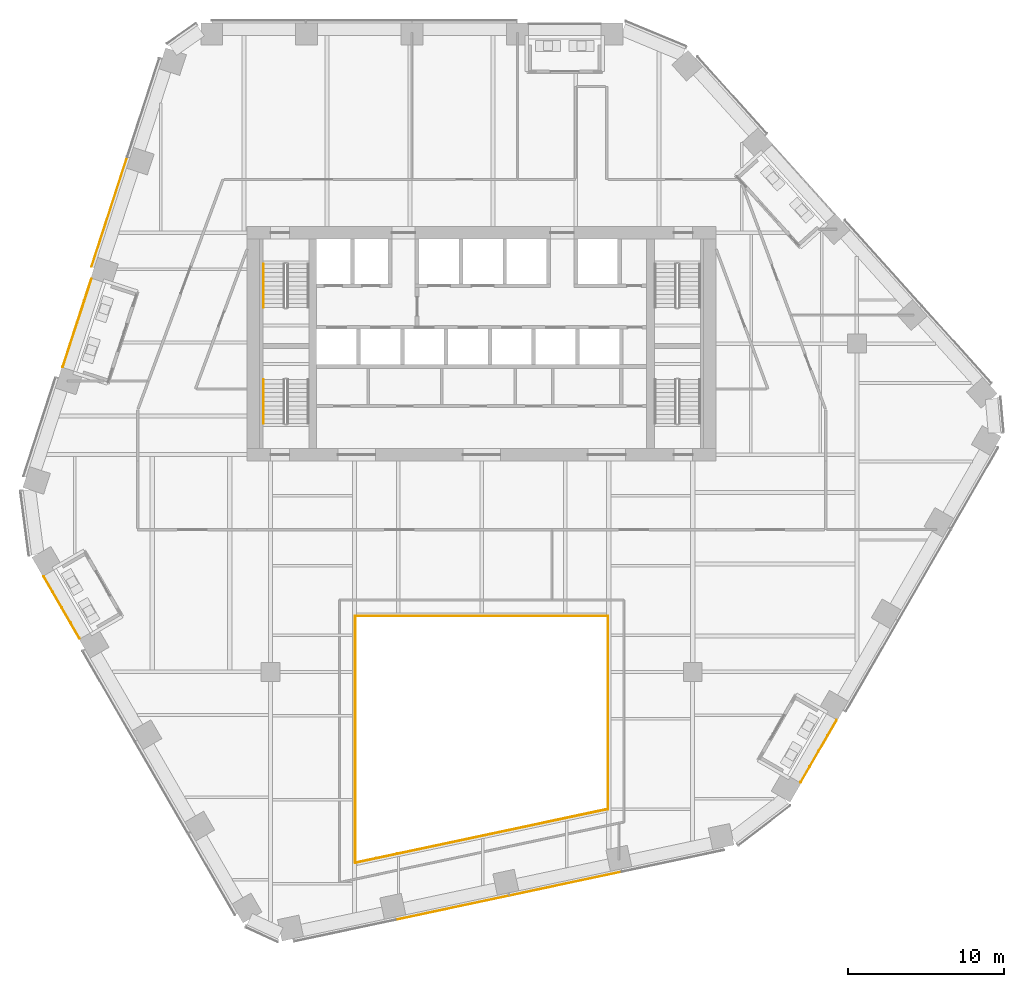
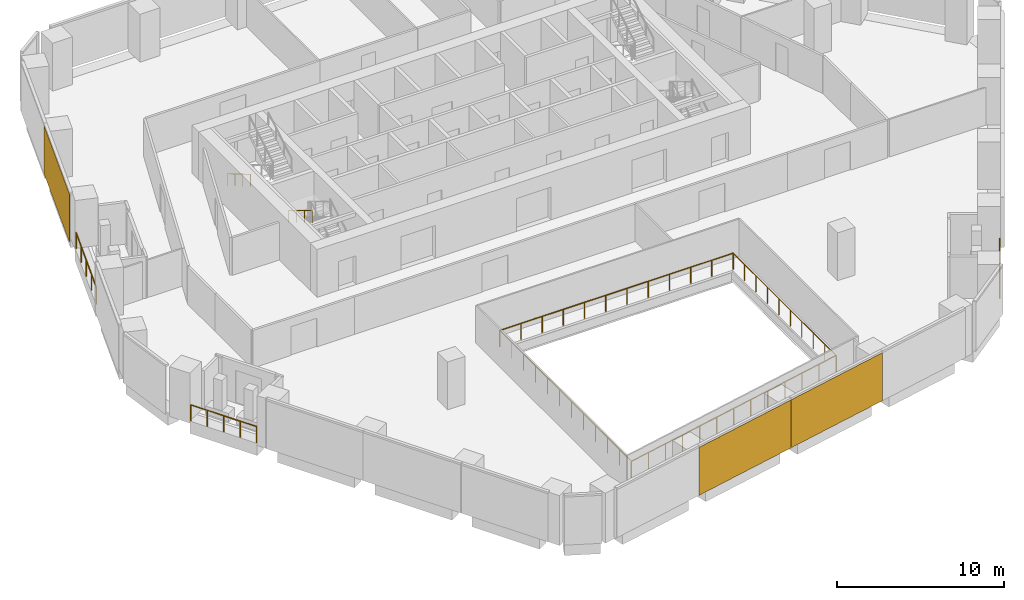
# One storey, part 21 of 24: 9 railings, 3 coverings, 2 elements without a shape of their own.
"""IFC4 building model written with IfcOpenShell, lengths in metres."""

from ifc_helpers import new_model, si_unit, direction, frame, origin, origin_2d, place, context, subcontext, project, spatial, rectangle, circle, extrude, material, layer, layer_set, type_object, element, aggregate, save


model = new_model("IFC4")

# Units and contexts
model_context = context("Model", 3, precision=1e-05, world=origin(), true_north=direction((0.0, 1.0)))
body_context = subcontext(model_context, "Body", "Model", "MODEL_VIEW")
ifc_project = project(units=[si_unit("LENGTHUNIT", "METRE"), si_unit("AREAUNIT", "SQUARE_METRE"), si_unit("VOLUMEUNIT", "CUBIC_METRE"), si_unit("PLANEANGLEUNIT", "RADIAN"), si_unit("MASSUNIT", "GRAM", prefix="KILO")], contexts=[model_context])

# Site, building, storey
site_placement = place(None, origin())
site = spatial("IfcSite", under=ifc_project, at=site_placement, CompositionType="ELEMENT")
building_placement = place(site_placement, origin())
building = spatial("IfcBuilding", under=site, at=building_placement, Name="Isthmus Gate Tower", CompositionType="ELEMENT")
storey_placement = place(building_placement, frame((0.0, 0.0, 159.0)))
storey = spatial("IfcBuildingStorey", under=building, at=storey_placement, Name="L39", CompositionType="ELEMENT", Elevation=159.0)

# Railings
ifc_material_1 = material(Name="Laminated toughened glass balustrade with steel rail", Category="steel")
railing_type_1 = type_object("IfcRailingType", Name="ATRIUM GUARD GLASS BALUSTRADE 1200", PredefinedType="GUARDRAIL", material=ifc_material_1)
railing_1_placement = place(storey_placement, frame((-8.080078125, -25.7099609375, 0.0)))
element("IfcRailing", 1, at=railing_1_placement, inside=storey, type_object=railing_type_1, Name="L39 atrium guard", PredefinedType="GUARDRAIL", context=body_context, shape_type="SweptSolid", body=[
    extrude(circle(Radius=0.02490234375, at=origin_2d()), frame((0.0, 0.0, 1.1748046875), z_axis=(0.0, 1.0, 0.0), x_axis=(-1.0, 0.0, 0.0)), (0.0, 0.0, 1.0), 15.7900390625),
    extrude(circle(Radius=0.02490234375, at=origin_2d()), origin(), (0.0, 0.0, 1.0), 1.14990234375),
    extrude(circle(Radius=0.02490234375, at=origin_2d()), frame((0.0, 1.435546875, 0.0)), (0.0, 0.0, 1.0), 1.14990234375),
    extrude(circle(Radius=0.02490234375, at=origin_2d()), frame((0.0, 2.870849609375, 0.0)), (0.0, 0.0, 1.0), 1.14990234375),
    extrude(circle(Radius=0.02490234375, at=origin_2d()), frame((0.0, 4.306396484375, 0.0)), (0.0, 0.0, 1.0), 1.14990234375),
    extrude(circle(Radius=0.02490234375, at=origin_2d()), frame((0.0, 5.741943359375, 0.0)), (0.0, 0.0, 1.0), 1.14990234375),
    extrude(circle(Radius=0.02490234375, at=origin_2d()), frame((0.0, 7.17724609375, 0.0)), (0.0, 0.0, 1.0), 1.14990234375),
    extrude(circle(Radius=0.02490234375, at=origin_2d()), frame((0.0, 8.61279296875, 0.0)), (0.0, 0.0, 1.0), 1.14990234375),
    extrude(circle(Radius=0.02490234375, at=origin_2d()), frame((0.0, 10.048095703125, 0.0)), (0.0, 0.0, 1.0), 1.14990234375),
    extrude(circle(Radius=0.02490234375, at=origin_2d()), frame((0.0, 11.483642578125, 0.0)), (0.0, 0.0, 1.0), 1.14990234375),
    extrude(circle(Radius=0.02490234375, at=origin_2d()), frame((0.0, 12.919189453125, 0.0)), (0.0, 0.0, 1.0), 1.14990234375),
    extrude(circle(Radius=0.02490234375, at=origin_2d()), frame((0.0, 14.3544921875, 0.0)), (0.0, 0.0, 1.0), 1.14990234375),
    extrude(circle(Radius=0.02490234375, at=origin_2d()), frame((0.0, 15.7900390625, 0.0)), (0.0, 0.0, 1.0), 1.14990234375),
])
railing_2_placement = place(storey_placement, frame((-8.080078125, -9.919921875, 0.0)))
element("IfcRailing", 2, at=railing_2_placement, inside=storey, type_object=railing_type_1, Name="L39 atrium guard", PredefinedType="GUARDRAIL", context=body_context, shape_type="SweptSolid", body=[
    extrude(circle(Radius=0.02490234375, at=origin_2d()), frame((0.0, 0.0, 1.1748046875), z_axis=(1.0, 0.0, 0.0), x_axis=(0.0, 1.0, 0.0)), (0.0, 0.0, 1.0), 16.16015625),
    extrude(circle(Radius=0.02490234375, at=origin_2d()), origin(), (0.0, 0.0, 1.0), 1.14990234375),
    extrude(circle(Radius=0.02490234375, at=origin_2d()), frame((1.468994140625, 0.0, 0.0)), (0.0, 0.0, 1.0), 1.14990234375),
    extrude(circle(Radius=0.02490234375, at=origin_2d()), frame((2.938232421875, 0.0, 0.0)), (0.0, 0.0, 1.0), 1.14990234375),
    extrude(circle(Radius=0.02490234375, at=origin_2d()), frame((4.4072265625, 0.0, 0.0)), (0.0, 0.0, 1.0), 1.14990234375),
    extrude(circle(Radius=0.02490234375, at=origin_2d()), frame((5.87646484375, 0.0, 0.0)), (0.0, 0.0, 1.0), 1.14990234375),
    extrude(circle(Radius=0.02490234375, at=origin_2d()), frame((7.345458984375, 0.0, 0.0)), (0.0, 0.0, 1.0), 1.14990234375),
    extrude(circle(Radius=0.02490234375, at=origin_2d()), frame((8.814697265625, 0.0, 0.0)), (0.0, 0.0, 1.0), 1.14990234375),
    extrude(circle(Radius=0.02490234375, at=origin_2d()), frame((10.28369140625, 0.0, 0.0)), (0.0, 0.0, 1.0), 1.14990234375),
    extrude(circle(Radius=0.02490234375, at=origin_2d()), frame((11.7529296875, 0.0, 0.0)), (0.0, 0.0, 1.0), 1.14990234375),
    extrude(circle(Radius=0.02490234375, at=origin_2d()), frame((13.221923828125, 0.0, 0.0)), (0.0, 0.0, 1.0), 1.14990234375),
    extrude(circle(Radius=0.02490234375, at=origin_2d()), frame((14.691162109375, 0.0, 0.0)), (0.0, 0.0, 1.0), 1.14990234375),
    extrude(circle(Radius=0.02490234375, at=origin_2d()), frame((16.16015625, 0.0, 0.0)), (0.0, 0.0, 1.0), 1.14990234375),
])
railing_3_placement = place(storey_placement, frame((8.080078125, -9.919921875, 0.0)))
element("IfcRailing", 3, at=railing_3_placement, inside=storey, type_object=railing_type_1, Name="L39 atrium guard", PredefinedType="GUARDRAIL", context=body_context, shape_type="SweptSolid", body=[
    extrude(circle(Radius=0.02490234375, at=origin_2d()), frame((0.0, 0.0, 1.1748046875), z_axis=(0.0, -1.0, 0.0), x_axis=(1.0, 0.0, 0.0)), (0.0, 0.0, 1.0), 12.35498046875),
    extrude(circle(Radius=0.02490234375, at=origin_2d()), origin(), (0.0, 0.0, 1.0), 1.14990234375),
    extrude(circle(Radius=0.02490234375, at=origin_2d()), frame((0.0, -1.372802734375, 0.0)), (0.0, 0.0, 1.0), 1.14990234375),
    extrude(circle(Radius=0.02490234375, at=origin_2d()), frame((0.0, -2.74560546875, 0.0)), (0.0, 0.0, 1.0), 1.14990234375),
    extrude(circle(Radius=0.02490234375, at=origin_2d()), frame((0.0, -4.118408203125, 0.0)), (0.0, 0.0, 1.0), 1.14990234375),
    extrude(circle(Radius=0.02490234375, at=origin_2d()), frame((0.0, -5.4912109375, 0.0)), (0.0, 0.0, 1.0), 1.14990234375),
    extrude(circle(Radius=0.02490234375, at=origin_2d()), frame((0.0, -6.86376953125, 0.0)), (0.0, 0.0, 1.0), 1.14990234375),
    extrude(circle(Radius=0.02490234375, at=origin_2d()), frame((0.0, -8.236572265625, 0.0)), (0.0, 0.0, 1.0), 1.14990234375),
    extrude(circle(Radius=0.02490234375, at=origin_2d()), frame((0.0, -9.609375, 0.0)), (0.0, 0.0, 1.0), 1.14990234375),
    extrude(circle(Radius=0.02490234375, at=origin_2d()), frame((0.0, -10.982177734375, 0.0)), (0.0, 0.0, 1.0), 1.14990234375),
    extrude(circle(Radius=0.02490234375, at=origin_2d()), frame((0.0, -12.35498046875, 0.0)), (0.0, 0.0, 1.0), 1.14990234375),
])
railing_4_placement = place(storey_placement, frame((8.080078125, -22.27490234375, 0.0)))
element("IfcRailing", 4, at=railing_4_placement, inside=storey, type_object=railing_type_1, Name="L39 atrium guard", PredefinedType="GUARDRAIL", context=body_context, shape_type="SweptSolid", body=[
    extrude(circle(Radius=0.02490234375, at=origin_2d()), frame((0.0, 0.0, 1.1748046875), z_axis=(-0.978146230105, -0.207918139013, 0.0), x_axis=(0.207918139013, -0.978146230105, 0.0)), (0.0, 0.0, 1.0), 16.521240234375),
    extrude(circle(Radius=0.02490234375, at=origin_2d()), origin(), (0.0, 0.0, 1.0), 1.14990234375),
    extrude(circle(Radius=0.02490234375, at=origin_2d()), frame((-1.3466796875, -0.2861328125, 0.0)), (0.0, 0.0, 1.0), 1.14990234375),
    extrude(circle(Radius=0.02490234375, at=origin_2d()), frame((-2.693359375, -0.572509765625, 0.0)), (0.0, 0.0, 1.0), 1.14990234375),
    extrude(circle(Radius=0.02490234375, at=origin_2d()), frame((-4.0400390625, -0.85888671875, 0.0)), (0.0, 0.0, 1.0), 1.14990234375),
    extrude(circle(Radius=0.02490234375, at=origin_2d()), frame((-5.38671875, -1.14501953125, 0.0)), (0.0, 0.0, 1.0), 1.14990234375),
    extrude(circle(Radius=0.02490234375, at=origin_2d()), frame((-6.7333984375, -1.43115234375, 0.0)), (0.0, 0.0, 1.0), 1.14990234375),
    extrude(circle(Radius=0.02490234375, at=origin_2d()), frame((-8.080078125, -1.717529296875, 0.0)), (0.0, 0.0, 1.0), 1.14990234375),
    extrude(circle(Radius=0.02490234375, at=origin_2d()), frame((-9.4267578125, -2.00390625, 0.0)), (0.0, 0.0, 1.0), 1.14990234375),
    extrude(circle(Radius=0.02490234375, at=origin_2d()), frame((-10.7734375, -2.2900390625, 0.0)), (0.0, 0.0, 1.0), 1.14990234375),
    extrude(circle(Radius=0.02490234375, at=origin_2d()), frame((-12.1201171875, -2.576171875, 0.0)), (0.0, 0.0, 1.0), 1.14990234375),
    extrude(circle(Radius=0.02490234375, at=origin_2d()), frame((-13.466796875, -2.862548828125, 0.0)), (0.0, 0.0, 1.0), 1.14990234375),
    extrude(circle(Radius=0.02490234375, at=origin_2d()), frame((-14.8134765625, -3.14892578125, 0.0)), (0.0, 0.0, 1.0), 1.14990234375),
    extrude(circle(Radius=0.02490234375, at=origin_2d()), frame((-16.16015625, -3.43505859375, 0.0)), (0.0, 0.0, 1.0), 1.14990234375),
])

# Curtain wall, covering
ifc_material_2 = material(Name="Aluminium, pale champagne anodised", Category="aluminium")
ifc_layer_1 = layer(ifc_material_2, 0.199951171875)
ifc_layer_set_1 = layer_set([ifc_layer_1], Name="CW-1 UNITISED CURTAIN WALL 200 DEEP")
curtain_wall_type = type_object("IfcCurtainWallType", Name="CW-1 UNITISED CURTAIN WALL 200 DEEP", PredefinedType="NOTDEFINED", material=ifc_layer_set_1)
curtain_wall_1_placement = place(storey_placement, origin())
curtain_wall_1 = element("IfcCurtainWall", 5, at=curtain_wall_1_placement, inside=storey, type_object=curtain_wall_type, Name="CW-1 NW L39", PredefinedType="NOTDEFINED")
ifc_material_3 = material(Name="Aluminium composite panel, pale champagne anodised", Category="aluminium")
ifc_layer_2 = layer(ifc_material_3, 0.035888671875)
ifc_layer_set_2 = layer_set([ifc_layer_2], Name="CW-1 PALE METAL PANEL 36")
covering_type = type_object("IfcCoveringType", Name="CW-1 PALE METAL PANEL 36", PredefinedType="CLADDING", material=ifc_layer_set_2)
covering_1_placement = place(storey_placement, frame((-23.813720703125, 15.927490234375, 0.0), z_axis=(0.0, 0.0, 1.0), x_axis=(-0.309016994375, -0.951056516295, 0.0)))
covering_1 = element("IfcCovering", 6, at=covering_1_placement, type_object=covering_type, Name="CW-1 pale metal panel", PredefinedType="CLADDING", context=body_context, shape_type="SweptSolid", body=[
    extrude(rectangle(XDim=7.390869140625, YDim=0.035888671875, at=origin_2d()), origin(), (0.0, 0.0, 1.0), 3.510009765625),
])
aggregate(curtain_wall_1, [covering_1])

# Curtain wall, coverings
curtain_wall_2_placement = place(storey_placement, origin())
curtain_wall_2 = element("IfcCurtainWall", 7, at=curtain_wall_2_placement, inside=storey, type_object=curtain_wall_type, Name="CW-1 S L39", PredefinedType="NOTDEFINED")
covering_2_placement = place(storey_placement, frame((-1.88671875, -28.587158203125, 0.0), z_axis=(0.0, 0.0, 1.0), x_axis=(0.978147600734, 0.207911690818, 0.0)))
covering_2 = element("IfcCovering", 8, at=covering_2_placement, type_object=covering_type, Name="CW-1 pale metal panel", PredefinedType="CLADDING", context=body_context, shape_type="SweptSolid", body=[
    extrude(rectangle(XDim=7.390869140625, YDim=0.035888671875, at=origin_2d()), origin(), (0.0, 0.0, 1.0), 3.510009765625),
])
covering_3_placement = place(storey_placement, frame((5.371826171875, -27.044189453125, 0.0), z_axis=(0.0, 0.0, 1.0), x_axis=(0.978147600734, 0.207911690818, 0.0)))
covering_3 = element("IfcCovering", 9, at=covering_3_placement, type_object=covering_type, Name="CW-1 pale metal panel", PredefinedType="CLADDING", context=body_context, shape_type="SweptSolid", body=[
    extrude(rectangle(XDim=7.330810546875, YDim=0.035888671875, at=origin_2d()), origin(), (0.0, 0.0, 1.0), 3.510009765625),
])
aggregate(curtain_wall_2, [covering_2, covering_3])

# Railings
ifc_material_4 = material(Name="Toughened laminated glass with stainless steel posts", Category="steel")
railing_type_2 = type_object("IfcRailingType", Name="GUARD 1200 FRAMELESS GLASS", PredefinedType="GUARDRAIL", material=ifc_material_4)
railing_5_placement = place(storey_placement, frame((-24.963623046875, 11.6376953125, 0.0)))
element("IfcRailing", 10, at=railing_5_placement, inside=storey, type_object=railing_type_2, Name="LOGGIA GUARD", PredefinedType="GUARDRAIL", context=body_context, shape_type="SweptSolid", body=[
    extrude(circle(Radius=0.02490234375, at=origin_2d()), frame((0.0, 0.0, 1.1748046875), z_axis=(-0.309031903466, -0.951051671908, 0.0), x_axis=(0.951051671908, -0.309031903466, 0.0)), (0.0, 0.0, 1.0), 5.910888671875),
    extrude(circle(Radius=0.02490234375, at=origin_2d()), origin(), (0.0, 0.0, 1.0), 1.14990234375),
    extrude(circle(Radius=0.02490234375, at=origin_2d()), frame((-0.45654296875, -1.4052734375, 0.0)), (0.0, 0.0, 1.0), 1.14990234375),
    extrude(circle(Radius=0.02490234375, at=origin_2d()), frame((-0.913330078125, -2.810791015625, 0.0)), (0.0, 0.0, 1.0), 1.14990234375),
    extrude(circle(Radius=0.02490234375, at=origin_2d()), frame((-1.3701171875, -4.21630859375, 0.0)), (0.0, 0.0, 1.0), 1.14990234375),
    extrude(circle(Radius=0.02490234375, at=origin_2d()), frame((-1.82666015625, -5.62158203125, 0.0)), (0.0, 0.0, 1.0), 1.14990234375),
])
railing_6_placement = place(storey_placement, frame((-28.004638671875, -7.39453125, 0.0)))
element("IfcRailing", 11, at=railing_6_placement, inside=storey, type_object=railing_type_2, Name="LOGGIA GUARD", PredefinedType="GUARDRAIL", context=body_context, shape_type="SweptSolid", body=[
    extrude(circle(Radius=0.02490234375, at=origin_2d()), frame((0.0, 0.0, 1.1748046875), z_axis=(0.499982962853, -0.866035239962, 0.0), x_axis=(0.866035239962, 0.499982962853, 0.0)), (0.0, 0.0, 1.0), 4.570068359375),
    extrude(circle(Radius=0.02490234375, at=origin_2d()), origin(), (0.0, 0.0, 1.0), 1.14990234375),
    extrude(circle(Radius=0.02490234375, at=origin_2d()), frame((0.5712890625, -0.989501953125, 0.0)), (0.0, 0.0, 1.0), 1.14990234375),
    extrude(circle(Radius=0.02490234375, at=origin_2d()), frame((1.142578125, -1.97900390625, 0.0)), (0.0, 0.0, 1.0), 1.14990234375),
    extrude(circle(Radius=0.02490234375, at=origin_2d()), frame((1.713623046875, -2.96826171875, 0.0)), (0.0, 0.0, 1.0), 1.14990234375),
    extrude(circle(Radius=0.02490234375, at=origin_2d()), frame((2.284912109375, -3.957763671875, 0.0)), (0.0, 0.0, 1.0), 1.14990234375),
])
railing_7_placement = place(storey_placement, frame((20.40625, -20.5556640625, 0.0)))
element("IfcRailing", 12, at=railing_7_placement, inside=storey, type_object=railing_type_2, Name="LOGGIA GUARD", PredefinedType="GUARDRAIL", context=body_context, shape_type="SweptSolid", body=[
    extrude(circle(Radius=0.02490234375, at=origin_2d()), frame((0.0, 0.0, 1.1748046875), z_axis=(0.499959831567, 0.866048593798, 0.0), x_axis=(-0.866048593798, 0.499959831567, 0.0)), (0.0, 0.0, 1.0), 4.5703125),
    extrude(circle(Radius=0.02490234375, at=origin_2d()), origin(), (0.0, 0.0, 1.0), 1.14990234375),
    extrude(circle(Radius=0.02490234375, at=origin_2d()), frame((0.5712890625, 0.989501953125, 0.0)), (0.0, 0.0, 1.0), 1.14990234375),
    extrude(circle(Radius=0.02490234375, at=origin_2d()), frame((1.142578125, 1.97900390625, 0.0)), (0.0, 0.0, 1.0), 1.14990234375),
    extrude(circle(Radius=0.02490234375, at=origin_2d()), frame((1.713623046875, 2.968505859375, 0.0)), (0.0, 0.0, 1.0), 1.14990234375),
    extrude(circle(Radius=0.02490234375, at=origin_2d()), frame((2.284912109375, 3.9580078125, 0.0)), (0.0, 0.0, 1.0), 1.14990234375),
])
ifc_material_5 = material(Name="Stainless steel handrail", Category="steel")
railing_type_3 = type_object("IfcRailingType", Name="STAIR HANDRAIL 900", PredefinedType="HANDRAIL", material=ifc_material_5)
for number, where, name in (
    (13, (-13.949951171875, 12.60009765625, 0.166015625), "L39 ST1 stair handrail 1"),
    (14, (-13.949951171875, 5.199951171875, 1.990966796875), "L39 ST7 stair handrail 2"),
):
    element("IfcRailing", number, at=place(storey_placement, frame(where)), inside=storey, type_object=railing_type_3, Name=name, PredefinedType="HANDRAIL", context=body_context, shape_type="SweptSolid", body=[
        extrude(circle(Radius=0.02392578125, at=origin_2d()), frame((0.0, 0.0, 0.8759765625), z_axis=(0.0, -0.860339051648, 0.50972219513), x_axis=(1.0, 0.0, 0.0)), (0.0, 0.0, 1.0), 3.254638671875),
        extrude(circle(Radius=0.02099609375, at=origin_2d()), origin(), (0.0, 0.0, 1.0), 0.851806640625),
        extrude(circle(Radius=0.02099609375, at=origin_2d()), frame((0.0, -0.933349609375, 0.552978515625)), (0.0, 0.0, 1.0), 0.851806640625),
        extrude(circle(Radius=0.02099609375, at=origin_2d()), frame((0.0, -1.86669921875, 1.10595703125)), (0.0, 0.0, 1.0), 0.851806640625),
        extrude(circle(Radius=0.02099609375, at=origin_2d()), frame((0.0, -2.800048828125, 1.658935546875)), (0.0, 0.0, 1.0), 0.851806640625),
    ])

save(model, "model.ifc")
